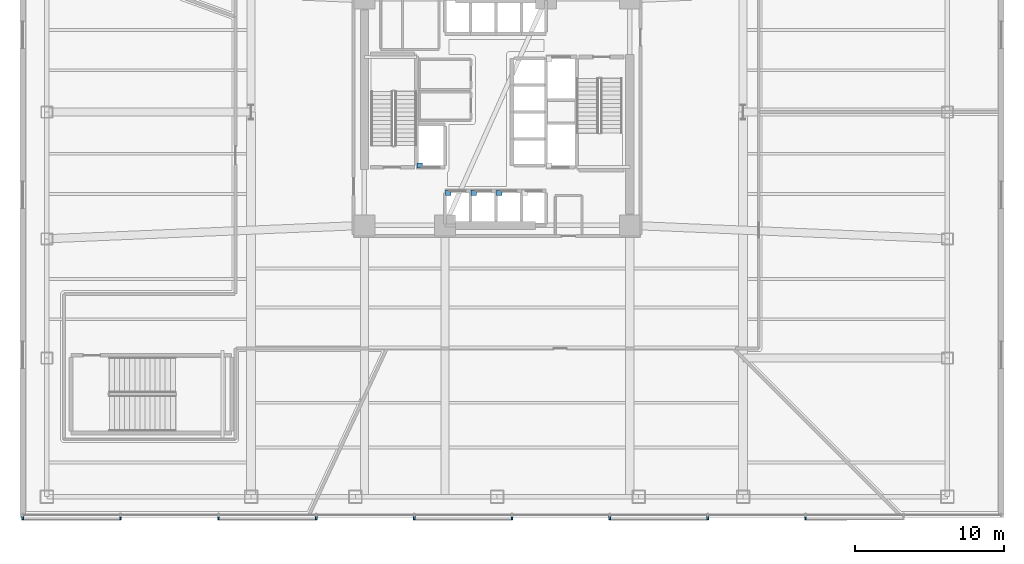
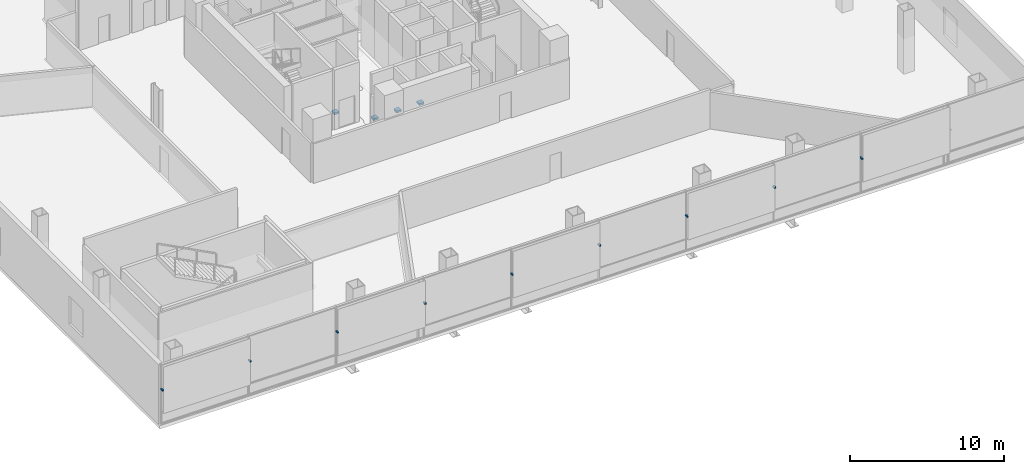
# One storey, part 15 of 24: 13 discrete accessories.
"""IFC4 building model written with IfcOpenShell, lengths in metres."""

from ifc_helpers import new_model, si_unit, direction, frame, origin, origin_2d, place, context, subcontext, project, spatial, rectangle, extrude, material, type_object, element, save


model = new_model("IFC4")

# Units and contexts
model_context = context("Model", 3, precision=1e-05, world=origin(), true_north=direction((0.0, 1.0)))
body_context = subcontext(model_context, "Body", "Model", "MODEL_VIEW")
ifc_project = project(units=[si_unit("LENGTHUNIT", "METRE"), si_unit("AREAUNIT", "SQUARE_METRE"), si_unit("VOLUMEUNIT", "CUBIC_METRE"), si_unit("PLANEANGLEUNIT", "RADIAN"), si_unit("MASSUNIT", "GRAM", prefix="KILO")], contexts=[model_context])

# Site, building, storey
site_placement = place(None, origin())
site = spatial("IfcSite", under=ifc_project, at=site_placement, CompositionType="ELEMENT")
building_placement = place(site_placement, origin())
building = spatial("IfcBuilding", under=site, at=building_placement, Name="Tharavind Bronze Gate", CompositionType="ELEMENT")
storey_placement = place(building_placement, frame((0.0, 0.0, 21.5)))
storey = spatial("IfcBuildingStorey", under=building, at=storey_placement, Name="L04", CompositionType="ELEMENT", Elevation=21.5)

# Discrete accessories
ifc_material_1 = material(Name="Galvanised Steel S355", Category="steel")
discrete_accessory_type_1 = type_object("IfcDiscreteAccessoryType", Name="LIFT GUIDE RAIL BRACKET", PredefinedType="BRACKET", material=ifc_material_1)
for number, where, z_axis, x_axis, name in (
    (1, (-3.280029296875, -5.419921875, 1.1201171875), (0.0, 0.0, 1.0), (1.0, 0.0, 0.0), "Lift PL1 guide rail bracket at L04"),
    (2, (-1.5673828125, -5.419921875, 1.1201171875), (0.0, 0.0, 1.0), (1.0, 0.0, 0.0), "Lift PL2 guide rail bracket at L04"),
    (3, (0.14501953125, -5.419921875, 1.1201171875), (0.0, 0.0, 1.0), (1.0, 0.0, 0.0), "Lift PL3 guide rail bracket at L04"),
    (4, (-5.179931640625, -3.580078125, 1.1201171875), (0.0, 0.0, 1.0), (1.0, 0.0, 0.0), "Lift FFL1 guide rail bracket at L04"),
):
    element("IfcDiscreteAccessory", number, at=place(storey_placement, frame(where, z_axis=z_axis, x_axis=x_axis)), inside=storey, type_object=discrete_accessory_type_1, Name=name, PredefinedType="BRACKET", context=body_context, shape_type="SweptSolid", body=[
        extrude(rectangle(XDim=0.360107421875, YDim=0.360107421875, at=origin_2d()), origin(), (0.0, 0.0, 1.0), 0.159912109375),
    ])
ifc_material_2 = material(Name="Stainless Steel 316", Category="steel")
discrete_accessory_type_2 = type_object("IfcDiscreteAccessoryType", Name="SOLAR SCREEN STANDOFF BRACKET", PredefinedType="BRACKET", material=ifc_material_2)
for number, where, z_axis, x_axis, name in (
    (5, (-31.820068359375, -27.219970703125, 2.760009765625), (0.0, 0.0, 1.0), (1.0, 0.0, 0.0), "CW-L04-S1 solar screen bracket 1.1"),
    (6, (-25.256103515625, -27.219970703125, 2.760009765625), (0.0, 0.0, 1.0), (1.0, 0.0, 0.0), "CW-L04-S1 solar screen bracket 1.2"),
    (7, (-18.69189453125, -27.219970703125, 2.760009765625), (0.0, 0.0, 1.0), (1.0, 0.0, 0.0), "CW-L04-S1 solar screen bracket 3.1"),
    (8, (-12.1279296875, -27.219970703125, 2.760009765625), (0.0, 0.0, 1.0), (1.0, 0.0, 0.0), "CW-L04-S1 solar screen bracket 3.2"),
    (9, (-5.56396484375, -27.219970703125, 2.760009765625), (0.0, 0.0, 1.0), (1.0, 0.0, 0.0), "CW-L04-S1 solar screen bracket 5.1"),
    (10, (1.0, -27.219970703125, 2.760009765625), (0.0, 0.0, 1.0), (1.0, 0.0, 0.0), "CW-L04-S1 solar screen bracket 5.2"),
    (11, (7.56396484375, -27.219970703125, 2.760009765625), (0.0, 0.0, 1.0), (1.0, 0.0, 0.0), "CW-L04-S1 solar screen bracket 7.1"),
    (12, (14.1279296875, -27.219970703125, 2.760009765625), (0.0, 0.0, 1.0), (1.0, 0.0, 0.0), "CW-L04-S1 solar screen bracket 7.2"),
    (13, (20.69189453125, -27.219970703125, 2.760009765625), (0.0, 0.0, 1.0), (1.0, 0.0, 0.0), "CW-L04-S1 solar screen bracket 9.1"),
):
    element("IfcDiscreteAccessory", number, at=place(storey_placement, frame(where, z_axis=z_axis, x_axis=x_axis)), inside=storey, type_object=discrete_accessory_type_2, Name=name, PredefinedType="BRACKET", context=body_context, shape_type="SweptSolid", body=[
        extrude(rectangle(XDim=0.1201171875, YDim=0.239990234375, at=origin_2d()), origin(), (0.0, 0.0, 1.0), 0.1201171875),
    ])

save(model, "model.ifc")
